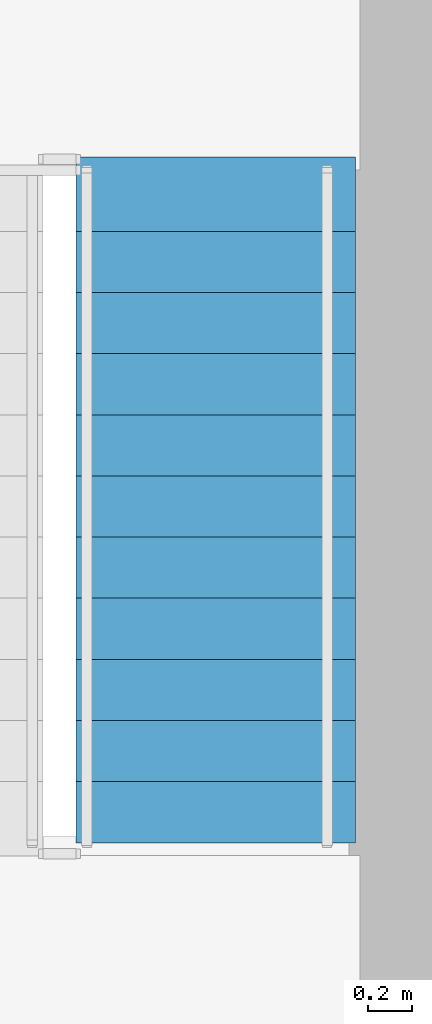
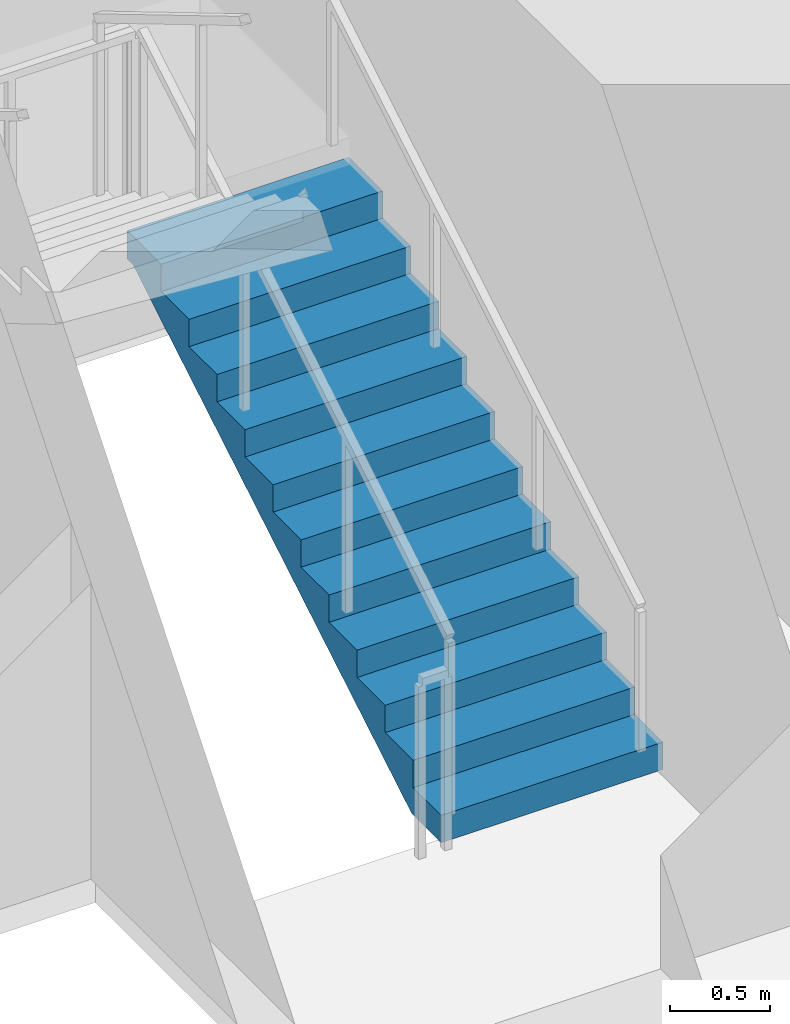
# One storey, part 10 of 16: 1 stair flight, 1 element without a shape of its own.
"""IFC4 building model written with IfcOpenShell, lengths in metres."""

from ifc_helpers import new_model, si_unit, direction, frame, origin, place, context, subcontext, project, spatial, polyline, outline, extrude, material, type_object, element, aggregate, save


model = new_model("IFC4")

# Units and contexts
model_context = context("Model", 3, precision=1e-05, world=origin(), true_north=direction((0.0, 1.0)))
body_context = subcontext(model_context, "Body", "Model", "MODEL_VIEW")
ifc_project = project(units=[si_unit("LENGTHUNIT", "METRE"), si_unit("AREAUNIT", "SQUARE_METRE"), si_unit("VOLUMEUNIT", "CUBIC_METRE"), si_unit("PLANEANGLEUNIT", "RADIAN"), si_unit("MASSUNIT", "GRAM", prefix="KILO")], contexts=[model_context])

# Site, building, storey
site_placement = place(None, origin())
site = spatial("IfcSite", under=ifc_project, at=site_placement, CompositionType="ELEMENT")
building_placement = place(site_placement, origin())
building = spatial("IfcBuilding", under=site, at=building_placement, Name="Sennacour Bend Tower", CompositionType="ELEMENT")
storey_placement = place(building_placement, frame((0.0, 0.0, 45.0)))
storey = spatial("IfcBuildingStorey", under=building, at=storey_placement, Name="L09", CompositionType="ELEMENT", Elevation=45.0)

# Stair, stair flight
ifc_material = material(Name="Concrete C40/50", Category="concrete")
stair_type = type_object("IfcStairType", Name="ST-DOGLEG", PredefinedType="HALF_TURN_STAIR", material=ifc_material)
stair_placement = place(storey_placement, origin())
stair = element("IfcStair", 1, at=stair_placement, inside=storey, type_object=stair_type, Name="L09 Exit stair B2", PredefinedType="HALF_TURN_STAIR")
stair_flight_type = type_object("IfcStairFlightType", Name="SFL-RC", PredefinedType="STRAIGHT", material=ifc_material)
stair_flight_placement = place(storey_placement, frame((20.68994140625, 38.699951171875, 0.0), z_axis=(0.0, 0.0, 1.0), x_axis=(0.0, 1.0, 0.0)))
stair_flight = element("IfcStairFlight", 2, at=stair_flight_placement, type_object=stair_flight_type, Name="SB2 flight 1", NumberOfRisers=12, NumberOfTreads=11, PredefinedType="STRAIGHT", RiserHeight=0.166666667, TreadLength=0.28, context=body_context, shape_type="SweptSolid", body=[
    extrude(outline(polyline([(0.0, 0.0), (0.0, 0.166748046875), (0.280029296875, 0.166748046875), (0.280029296875, 0.333251953125), (0.56005859375, 0.333251953125), (0.56005859375, 0.5), (0.840087890625, 0.5), (0.840087890625, 0.666748046875), (1.1201171875, 0.666748046875), (1.1201171875, 0.833251953125), (1.39990234375, 0.833251953125), (1.39990234375, 1.0), (1.679931640625, 1.0), (1.679931640625, 1.166748046875), (1.9599609375, 1.166748046875), (1.9599609375, 1.333251953125), (2.239990234375, 1.333251953125), (2.239990234375, 1.5), (2.52001953125, 1.5), (2.52001953125, 1.666748046875), (2.800048828125, 1.666748046875), (2.800048828125, 1.833251953125), (3.080078125, 1.833251953125), (3.139892578125, 1.833251953125), (3.139892578125, 1.658935546875), (3.080078125, 1.658935546875), (0.29296875, 0.0), (0.0, 0.0)])), frame((0.0, 0.64013671875, 0.0), z_axis=(0.0, -1.0, 0.0), x_axis=(1.0, 0.0, 0.0)), (0.0, 0.0, 1.0), 1.280029296875),
])
aggregate(stair, [stair_flight])

save(model, "model.ifc")
